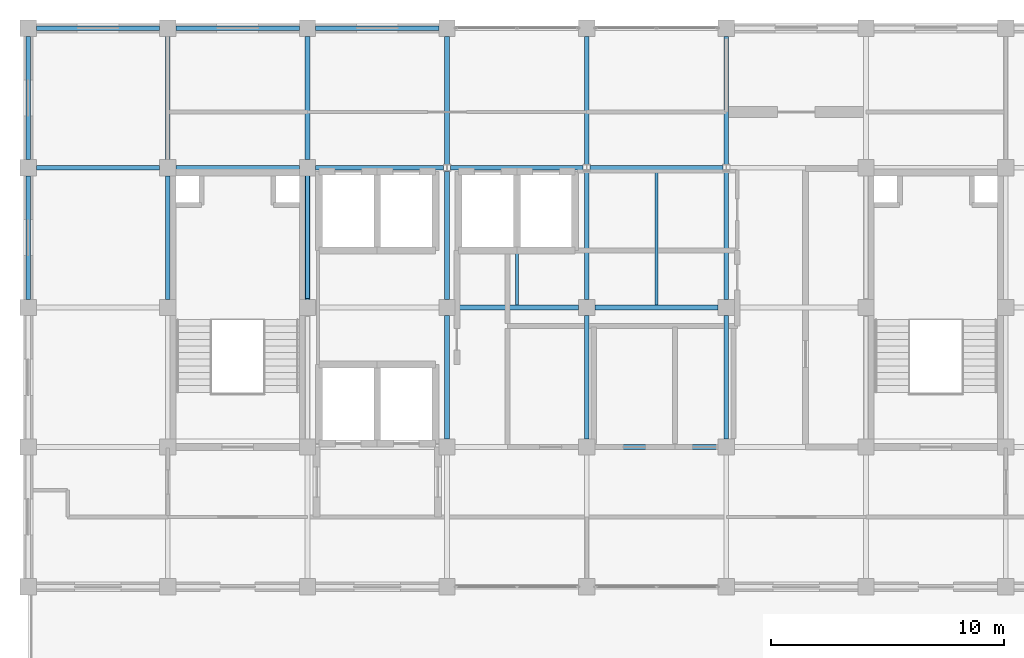
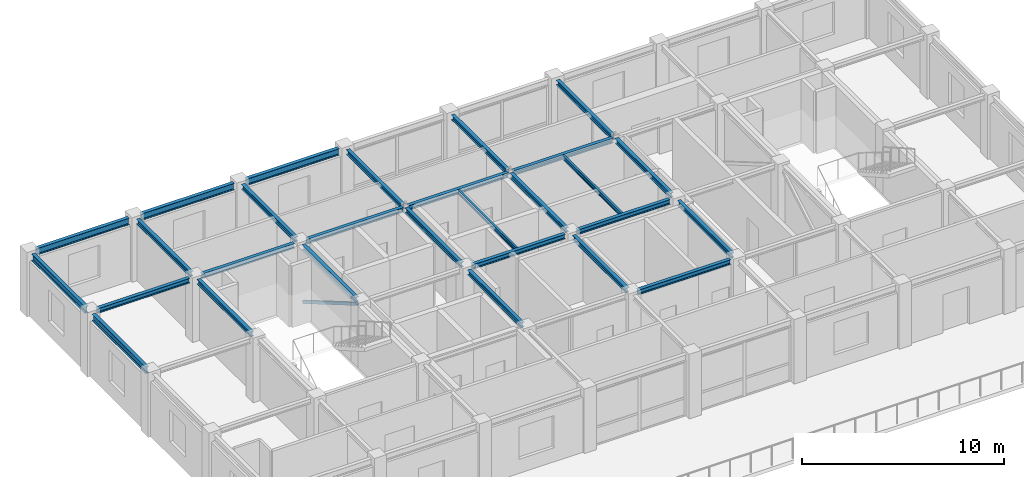
# One storey, part 5 of 11: 28 beams, 1 member.
"""IFC4 building model written with IfcOpenShell, lengths in metres."""

import ifcopenshell
import ifcopenshell.guid

model = None  # the IFC model being written
_history = None  # IfcOwnerHistory: only IFC2X3 demands one
_inside = {}  # id of a spatial element -> (the spatial element, [elements in it])
_under = {}  # id of a project, library or spatial element -> (it, [spatial elements below it])
_declared = {}  # id of a project -> (the project, [libraries it declares])
_typed = {}  # id of a type object -> (the type object, [elements of that type])
_made_of = {}  # id of a material, layer set ... -> (it, [elements and type objects made of it])


def new_model(schema):
    """Start an empty IFC model of exactly this schema.

    Asked for "IFC4X3", IfcOpenShell would pick the latest addendum, in which some entities
    have other attributes; the version numbers below select the first issue.
    IFC2X3 requires an IfcOwnerHistory on every rooted entity: one is made here for all.
    """
    global model, _history
    if schema == "IFC4X3":
        model = ifcopenshell.file(schema_version=(4, 3, 0, 0))
    else:
        model = ifcopenshell.file(schema=schema)
    _inside.clear()
    _under.clear()
    _declared.clear()
    _typed.clear()
    _made_of.clear()
    _history = None
    if model.schema == "IFC2X3":
        org = make("IfcOrganization", Name="unknown")
        user = make(
            "IfcPersonAndOrganization",
            ThePerson=make("IfcPerson", FamilyName="unknown"),
            TheOrganization=org,
        )
        app = make(
            "IfcApplication",
            ApplicationDeveloper=org,
            Version="unknown",
            ApplicationFullName="unknown",
            ApplicationIdentifier="unknown",
        )
        _history = make(
            "IfcOwnerHistory",
            OwningUser=user,
            OwningApplication=app,
            ChangeAction="ADDED",
            CreationDate=0,
        )
    return model


def make(cls, **values):
    """One entity of the class cls with the attributes given. An attribute that is None is left unset."""
    return model.create_entity(
        cls, **{name: value for name, value in values.items() if value is not None}
    )


def rooted(cls, **values):
    """An entity with a GlobalId (a new one), such as an element, a storey or a relation."""
    return make(cls, GlobalId=ifcopenshell.guid.new(), OwnerHistory=_history, **values)


def si_unit(unit_type, name, prefix=None):
    """IfcSIUnit, for example si_unit("LENGTHUNIT", "METRE", prefix="MILLI")."""
    return make("IfcSIUnit", UnitType=unit_type, Prefix=prefix, Name=name)


def assignment(units):
    """IfcUnitAssignment: the units of a project."""
    return None if units is None else make("IfcUnitAssignment", Units=units)


def point(xyz):
    """IfcCartesianPoint."""
    return None if xyz is None else make("IfcCartesianPoint", Coordinates=xyz)


def direction(xyz):
    """IfcDirection."""
    return None if xyz is None else make("IfcDirection", DirectionRatios=xyz)


def frame(location, z_axis=None, x_axis=None):
    """IfcAxis2Placement3D, a coordinate frame: its origin and axes. An axis left out is left unset."""
    return make(
        "IfcAxis2Placement3D",
        Location=point(location),
        Axis=direction(z_axis),
        RefDirection=direction(x_axis),
    )


def frame_2d(location, x_axis=None):
    """IfcAxis2Placement2D, a coordinate frame in the plane: its origin and x axis."""
    return make(
        "IfcAxis2Placement2D", Location=point(location), RefDirection=direction(x_axis)
    )


def origin():
    """The frame at (0, 0, 0) with its axes left unset."""
    return frame((0.0, 0.0, 0.0))


def origin_2d():
    """The frame at (0, 0) in the plane with its x axis left unset."""
    return frame_2d((0.0, 0.0))


def place(relative_to, where):
    """IfcLocalPlacement: puts the frame where relative to a parent placement (None: the world)."""
    return make(
        "IfcLocalPlacement", PlacementRelTo=relative_to, RelativePlacement=where
    )


def context(
    kind, dimensions, precision=None, world=None, true_north=None, identifier=None
):
    """IfcGeometricRepresentationContext, for example the 3D "Model" context."""
    return make(
        "IfcGeometricRepresentationContext",
        ContextIdentifier=identifier,
        ContextType=kind,
        CoordinateSpaceDimension=dimensions,
        Precision=precision,
        WorldCoordinateSystem=world,
        TrueNorth=true_north,
    )


def subcontext(parent, identifier, kind, view, scale=None):
    """IfcGeometricRepresentationSubContext, for example "Body" below "Model"."""
    return make(
        "IfcGeometricRepresentationSubContext",
        ContextIdentifier=identifier,
        ContextType=kind,
        ParentContext=parent,
        TargetScale=scale,
        TargetView=view,
    )


def project(units=None, contexts=None):
    """IfcProject with its units and contexts."""
    return rooted(
        "IfcProject",
        Name="project",
        RepresentationContexts=contexts,
        UnitsInContext=assignment(units),
    )


def spatial(cls, under=None, at=None, **own):
    """A site, building, storey or space (cls), placed at a placement, below another one or the project."""
    s = rooted(cls, ObjectPlacement=at, **own)
    if under is not None:
        _under.setdefault(under.id(), (under, []))[1].append(s)
    return s


def profile(cls, at=None, kind="AREA", **sizes):
    """A parametric profile (cls). Its sizes go by their IFC names, for example OverallWidth=200.0."""
    return make(cls, ProfileType=kind, Position=at, **sizes)


def hollow_rectangle(**sizes):
    """IfcRectangleHollowProfileDef."""
    return profile("IfcRectangleHollowProfileDef", **sizes)


def i_section(**sizes):
    """IfcIShapeProfileDef."""
    return profile("IfcIShapeProfileDef", **sizes)


def extrude(swept, where, along, depth):
    """IfcExtrudedAreaSolid: the profile swept, set in the frame where, extruded along a direction by depth."""
    return make(
        "IfcExtrudedAreaSolid",
        SweptArea=swept,
        Position=where,
        ExtrudedDirection=direction(along),
        Depth=depth,
    )


def shape(context_of_items, identifier, shape_type, items):
    """IfcShapeRepresentation: the items that make up one representation, for example the "Body"."""
    return make(
        "IfcShapeRepresentation",
        ContextOfItems=context_of_items,
        RepresentationIdentifier=identifier,
        RepresentationType=shape_type,
        Items=items,
    )


def material(Name=None, Category=None):
    """IfcMaterial."""
    return make("IfcMaterial", Name=Name, Category=Category)


def material_profile(
    of_material, cross_section, Name=None, Category=None, Priority=None
):
    """IfcMaterialProfile: a cross section and its material."""
    return make(
        "IfcMaterialProfile",
        Name=Name,
        Material=of_material,
        Profile=cross_section,
        Priority=Priority,
        Category=Category,
    )


def profile_set(profiles, Name=None, composite=None):
    """IfcMaterialProfileSet."""
    return make(
        "IfcMaterialProfileSet",
        Name=Name,
        MaterialProfiles=profiles,
        CompositeProfile=composite,
    )


def made_of(thing, what):
    """Note that an element or type object is made of a material, layer set ...; save() writes the relation."""
    if what is not None:
        _made_of.setdefault(what.id(), (what, []))[1].append(thing)
    return thing


def type_object(cls, material=None, **own):
    """A type object (cls), such as IfcWallType, which elements share."""
    return made_of(rooted(cls, **own), material)


def element(
    cls,
    number,
    at=None,
    inside=None,
    cuts=None,
    type_object=None,
    material=None,
    context=None,
    identifier="Body",
    shape_type=None,
    held_by="IfcProductDefinitionShape",
    body=None,
    shapes=None,
    **own,
):
    """One element of the class cls, such as IfcWall. Its Tag is "e" and its number.

    at: its placement. inside: the storey or other place that contains it. cuts: it is an
    opening in that element (IfcRelVoidsElement). A single representation is given by context,
    identifier, shape_type and body (its items); several are given by shapes. held_by: the class
    of the entity that holds the representations. save() writes the other relations.
    """
    e = rooted(cls, Tag="e%d" % number, ObjectPlacement=at, **own)
    if body is not None:
        shapes = [shape(context, identifier, shape_type, body)]
    if shapes is not None:
        e.Representation = make(held_by, Representations=shapes)
    if inside is not None:
        _inside.setdefault(inside.id(), (inside, []))[1].append(e)
    if cuts is not None:
        rooted(
            "IfcRelVoidsElement", RelatingBuildingElement=cuts, RelatedOpeningElement=e
        )
    if type_object is not None:
        _typed.setdefault(type_object.id(), (type_object, []))[1].append(e)
    return made_of(e, material)


def aggregate(whole, parts):
    """IfcRelAggregates: a whole, such as a stair, and the parts it consists of."""
    return rooted("IfcRelAggregates", RelatingObject=whole, RelatedObjects=parts)


def save(model, path):
    """Write the relations noted so far, then the file.

    IfcRelAggregates (storeys below a building ...), IfcRelContainedInSpatialStructure (elements
    in a storey), IfcRelDefinesByType, IfcRelAssociatesMaterial and IfcRelDeclares: one each for
    every whole, place, type object, material and project.
    """
    for whole, parts in _under.values():
        aggregate(whole, parts)
    for where, things in _inside.values():
        rooted(
            "IfcRelContainedInSpatialStructure",
            RelatedElements=things,
            RelatingStructure=where,
        )
    for kind, things in _typed.values():
        rooted("IfcRelDefinesByType", RelatedObjects=things, RelatingType=kind)
    for what, things in _made_of.values():
        rooted("IfcRelAssociatesMaterial", RelatedObjects=things, RelatingMaterial=what)
    for by, libraries in _declared.values():
        rooted("IfcRelDeclares", RelatingContext=by, RelatedDefinitions=libraries)
    model.write(path)


model = new_model("IFC4")

# Units and contexts
model_context = context("Model", 3, precision=1e-05, world=origin(), true_north=direction((0.0, 1.0)))
body_context = subcontext(model_context, "Body", "Model", "MODEL_VIEW")
ifc_project = project(units=[si_unit("LENGTHUNIT", "METRE"), si_unit("AREAUNIT", "SQUARE_METRE"), si_unit("VOLUMEUNIT", "CUBIC_METRE"), si_unit("PLANEANGLEUNIT", "RADIAN"), si_unit("MASSUNIT", "GRAM", prefix="KILO")], contexts=[model_context])

# Site, building, storey
site_placement = place(None, origin())
site = spatial("IfcSite", under=ifc_project, at=site_placement, CompositionType="ELEMENT")
building_placement = place(site_placement, origin())
building = spatial("IfcBuilding", under=site, at=building_placement, Name="Zlatovratsky Civic Hall", CompositionType="ELEMENT")
storey_placement = place(building_placement, frame((0.0, 0.0, 52.199951171875)))
storey = spatial("IfcBuildingStorey", under=building, at=storey_placement, Name="L13", CompositionType="ELEMENT", Elevation=52.199951171875)

# Beams
ifc_material = material(Name="Steel S355", Category="steel")
ifc_material_profile_1 = material_profile(ifc_material, i_section(OverallWidth=0.199951171875, OverallDepth=0.39990234375, WebThickness=0.008056640625, FlangeThickness=0.012939453125, FilletRadius=0.014892578125, at=origin_2d()), Name="40B2")
ifc_profile_set_1 = profile_set([ifc_material_profile_1], Name="Steel S355")
beam_type_1 = type_object("IfcBeamType", Name="Beam_Spandrel_40B2", PredefinedType="SPANDREL", material=ifc_profile_set_1)
for number, where, z_axis, x_axis, name in (
    (1, (60.35009765625, 102.0, 3.5400390625), (1.0, 0.0, 0.0), (0.0, 1.0, 0.0), "BM-4919"),
    (2, (66.35009765625, 102.0, 3.5400390625), (1.0, 0.0, 0.0), (0.0, 1.0, 0.0), "BM-4920"),
    (3, (72.35009765625, 102.0, 3.5400390625), (1.0, 0.0, 0.0), (0.0, 1.0, 0.0), "BM-4921"),
    (4, (60.0, 90.35009765625, 3.5400390625), (0.0, 1.0, 0.0), (-1.0, 0.0, 0.0), "BM-4929"),
    (5, (60.0, 96.35009765625, 3.5400390625), (0.0, 1.0, 0.0), (-1.0, 0.0, 0.0), "BM-4930"),
):
    element("IfcBeam", number, at=place(storey_placement, frame(where, z_axis=z_axis, x_axis=x_axis)), inside=storey, type_object=beam_type_1, Name=name, PredefinedType="SPANDREL", context=body_context, shape_type="SweptSolid", body=[
        extrude(i_section(OverallWidth=0.199951171875, OverallDepth=0.39990234375, WebThickness=0.008056640625, FlangeThickness=0.012939453125, FilletRadius=0.014892578125, at=origin_2d()), origin(), (0.0, 0.0, 1.0), 5.2998046875),
    ])
ifc_material_profile_2 = material_profile(ifc_material, i_section(OverallWidth=0.199951171875, OverallDepth=0.291015625, WebThickness=0.008056640625, FlangeThickness=0.010986328125, FilletRadius=0.01806640625, at=origin_2d()), Name="30Sh1")
ifc_profile_set_2 = profile_set([ifc_material_profile_2], Name="Steel S355")
beam_type_2 = type_object("IfcBeamType", Name="Beam_TowerHigh_30Sh1", PredefinedType="BEAM", material=ifc_profile_set_2)
for number, where, z_axis, x_axis, name in (
    (6, (84.35009765625, 84.0, 3.594482421875), (1.0, 0.0, 0.0), (0.0, 1.0, 0.0), "BM-4901"),
    (7, (78.35009765625, 90.0, 3.594482421875), (1.0, 0.0, 0.0), (0.0, 1.0, 0.0), "BM-4907"),
    (8, (84.35009765625, 90.0, 3.594482421875), (1.0, 0.0, 0.0), (0.0, 1.0, 0.0), "BM-4908"),
    (9, (60.35009765625, 96.0, 3.594482421875), (1.0, 0.0, 0.0), (0.0, 1.0, 0.0), "BM-4911"),
    (10, (66.35009765625, 96.0, 3.594482421875), (1.0, 0.0, 0.0), (0.0, 1.0, 0.0), "BM-4912"),
):
    element("IfcBeam", number, at=place(storey_placement, frame(where, z_axis=z_axis, x_axis=x_axis)), inside=storey, type_object=beam_type_2, Name=name, PredefinedType="BEAM", context=body_context, shape_type="SweptSolid", body=[
        extrude(i_section(OverallWidth=0.199951171875, OverallDepth=0.291015625, WebThickness=0.008056640625, FlangeThickness=0.010986328125, FilletRadius=0.01806640625, at=origin_2d()), origin(), (0.0, 0.0, 1.0), 5.2998046875),
    ])
beam_1_placement = place(storey_placement, frame((72.35009765625, 96.0, 3.594482421875), z_axis=(1.0, 0.0, 0.0), x_axis=(0.0, 1.0, 0.0)))
element("IfcBeam", 11, at=beam_1_placement, inside=storey, type_object=beam_type_2, Name="BM-4913", PredefinedType="BEAM", context=body_context, shape_type="SweptSolid", body=[
    extrude(i_section(OverallWidth=0.199951171875, OverallDepth=0.291015625, WebThickness=0.008056640625, FlangeThickness=0.010986328125, FilletRadius=0.01806640625, at=origin_2d()), origin(), (0.0, 0.0, 1.0), 5.5),
])
for number, where, z_axis, x_axis, name in (
    (12, (78.14990234375, 96.0, 3.594482421875), (1.0, 0.0, 0.0), (0.0, 1.0, 0.0), "BM-4914"),
    (13, (84.14990234375, 96.0, 3.594482421875), (1.0, 0.0, 0.0), (0.0, 1.0, 0.0), "BM-4915"),
):
    element("IfcBeam", number, at=place(storey_placement, frame(where, z_axis=z_axis, x_axis=x_axis)), inside=storey, type_object=beam_type_2, Name=name, PredefinedType="BEAM", context=body_context, shape_type="SweptSolid", body=[
        extrude(i_section(OverallWidth=0.199951171875, OverallDepth=0.291015625, WebThickness=0.008056640625, FlangeThickness=0.010986328125, FilletRadius=0.01806640625, at=origin_2d()), origin(), (0.0, 0.0, 1.0), 5.7001953125),
    ])
for number, where, z_axis, x_axis, name in (
    (14, (66.0, 90.35009765625, 3.594482421875), (0.0, 1.0, 0.0), (-1.0, 0.0, 0.0), "BM-4933"),
    (15, (66.0, 96.35009765625, 3.594482421875), (0.0, 1.0, 0.0), (-1.0, 0.0, 0.0), "BM-4934"),
    (16, (72.0, 90.35009765625, 3.594482421875), (0.0, 1.0, 0.0), (-1.0, 0.0, 0.0), "BM-4937"),
    (17, (72.0, 96.35009765625, 3.594482421875), (0.0, 1.0, 0.0), (-1.0, 0.0, 0.0), "BM-4938"),
    (18, (78.0, 84.35009765625, 3.594482421875), (0.0, 1.0, 0.0), (-1.0, 0.0, 0.0), "BM-4940"),
):
    element("IfcBeam", number, at=place(storey_placement, frame(where, z_axis=z_axis, x_axis=x_axis)), inside=storey, type_object=beam_type_2, Name=name, PredefinedType="BEAM", context=body_context, shape_type="SweptSolid", body=[
        extrude(i_section(OverallWidth=0.199951171875, OverallDepth=0.291015625, WebThickness=0.008056640625, FlangeThickness=0.010986328125, FilletRadius=0.01806640625, at=origin_2d()), origin(), (0.0, 0.0, 1.0), 5.2998046875),
    ])
for number, where, z_axis, x_axis, name in (
    (19, (78.0, 90.35009765625, 3.594482421875), (0.0, 1.0, 0.0), (-1.0, 0.0, 0.0), "BM-4941"),
    (20, (78.0, 96.14990234375, 3.594482421875), (0.0, 1.0, 0.0), (-1.0, 0.0, 0.0), "BM-4942"),
):
    element("IfcBeam", number, at=place(storey_placement, frame(where, z_axis=z_axis, x_axis=x_axis)), inside=storey, type_object=beam_type_2, Name=name, PredefinedType="BEAM", context=body_context, shape_type="SweptSolid", body=[
        extrude(i_section(OverallWidth=0.199951171875, OverallDepth=0.291015625, WebThickness=0.008056640625, FlangeThickness=0.010986328125, FilletRadius=0.01806640625, at=origin_2d()), origin(), (0.0, 0.0, 1.0), 5.5),
    ])
beam_2_placement = place(storey_placement, frame((84.0, 84.35009765625, 3.594482421875), z_axis=(0.0, 1.0, 0.0), x_axis=(-1.0, 0.0, 0.0)))
element("IfcBeam", 21, at=beam_2_placement, inside=storey, type_object=beam_type_2, Name="BM-4944", PredefinedType="BEAM", context=body_context, shape_type="SweptSolid", body=[
    extrude(i_section(OverallWidth=0.199951171875, OverallDepth=0.291015625, WebThickness=0.008056640625, FlangeThickness=0.010986328125, FilletRadius=0.01806640625, at=origin_2d()), origin(), (0.0, 0.0, 1.0), 5.2998046875),
])
for number, where, z_axis, x_axis, name in (
    (22, (84.0, 90.35009765625, 3.594482421875), (0.0, 1.0, 0.0), (-1.0, 0.0, 0.0), "BM-4945"),
    (23, (84.0, 96.14990234375, 3.594482421875), (0.0, 1.0, 0.0), (-1.0, 0.0, 0.0), "BM-4946"),
):
    element("IfcBeam", number, at=place(storey_placement, frame(where, z_axis=z_axis, x_axis=x_axis)), inside=storey, type_object=beam_type_2, Name=name, PredefinedType="BEAM", context=body_context, shape_type="SweptSolid", body=[
        extrude(i_section(OverallWidth=0.199951171875, OverallDepth=0.291015625, WebThickness=0.008056640625, FlangeThickness=0.010986328125, FilletRadius=0.01806640625, at=origin_2d()), origin(), (0.0, 0.0, 1.0), 5.5),
    ])
beam_3_placement = place(storey_placement, frame((90.0, 84.35009765625, 3.594482421875), z_axis=(0.0, 1.0, 0.0), x_axis=(-1.0, 0.0, 0.0)))
element("IfcBeam", 24, at=beam_3_placement, inside=storey, type_object=beam_type_2, Name="BM-4948", PredefinedType="BEAM", context=body_context, shape_type="SweptSolid", body=[
    extrude(i_section(OverallWidth=0.199951171875, OverallDepth=0.291015625, WebThickness=0.008056640625, FlangeThickness=0.010986328125, FilletRadius=0.01806640625, at=origin_2d()), origin(), (0.0, 0.0, 1.0), 5.2998046875),
])
for number, where, z_axis, x_axis, name in (
    (25, (90.0, 90.35009765625, 3.594482421875), (0.0, 1.0, 0.0), (-1.0, 0.0, 0.0), "BM-4949"),
    (26, (90.0, 96.14990234375, 3.594482421875), (0.0, 1.0, 0.0), (-1.0, 0.0, 0.0), "BM-4950"),
):
    element("IfcBeam", number, at=place(storey_placement, frame(where, z_axis=z_axis, x_axis=x_axis)), inside=storey, type_object=beam_type_2, Name=name, PredefinedType="BEAM", context=body_context, shape_type="SweptSolid", body=[
        extrude(i_section(OverallWidth=0.199951171875, OverallDepth=0.291015625, WebThickness=0.008056640625, FlangeThickness=0.010986328125, FilletRadius=0.01806640625, at=origin_2d()), origin(), (0.0, 0.0, 1.0), 5.5),
    ])

# Member
ifc_material_profile_3 = material_profile(ifc_material, hollow_rectangle(XDim=0.159912109375, YDim=0.159912109375, WallThickness=0.008056640625, at=origin_2d()), Name="SHS 160x160x8")
ifc_profile_set_3 = profile_set([ifc_material_profile_3], Name="Steel S355")
member_type = type_object("IfcMemberType", Name="Brace_TowerHigh_SHS160", PredefinedType="BRACE", material=ifc_profile_set_3)
member_placement = place(storey_placement, frame((72.0, 90.35009765625, 3.35009765625), z_axis=(0.0, 0.863172562464, -0.504909028845), x_axis=(-1.0, 0.0, 0.0)))
element("IfcMember", 27, at=member_placement, inside=storey, type_object=member_type, Name="MB-0157", PredefinedType="BRACE", context=body_context, shape_type="SweptSolid", body=[
    extrude(hollow_rectangle(XDim=0.159912109375, YDim=0.159912109375, WallThickness=0.008056640625, at=origin_2d()), origin(), (0.0, 0.0, 1.0), 6.139892578125),
])

# Beams
ifc_material_profile_4 = material_profile(ifc_material, i_section(OverallWidth=0.125, OverallDepth=0.25, WebThickness=0.006103515625, FlangeThickness=0.009033203125, FilletRadius=0.011962890625, at=origin_2d()), Name="25B2")
ifc_profile_set_4 = profile_set([ifc_material_profile_4], Name="Steel S355")
beam_type_3 = type_object("IfcBeamType", Name="Joist_Tower_25B2", PredefinedType="JOIST", material=ifc_profile_set_4)
for number, where, z_axis, x_axis, name in (
    (28, (81.0, 90.10009765625, 3.614990234375), (0.0, 1.0, 0.0), (-1.0, 0.0, 0.0), "BM-4963"),
    (29, (87.0, 90.10009765625, 3.614990234375), (0.0, 1.0, 0.0), (-1.0, 0.0, 0.0), "BM-4964"),
):
    element("IfcBeam", number, at=place(storey_placement, frame(where, z_axis=z_axis, x_axis=x_axis)), inside=storey, type_object=beam_type_3, Name=name, PredefinedType="JOIST", context=body_context, shape_type="SweptSolid", body=[
        extrude(i_section(OverallWidth=0.125, OverallDepth=0.25, WebThickness=0.006103515625, FlangeThickness=0.009033203125, FilletRadius=0.011962890625, at=origin_2d()), origin(), (0.0, 0.0, 1.0), 5.7998046875),
    ])

save(model, "model.ifc")
